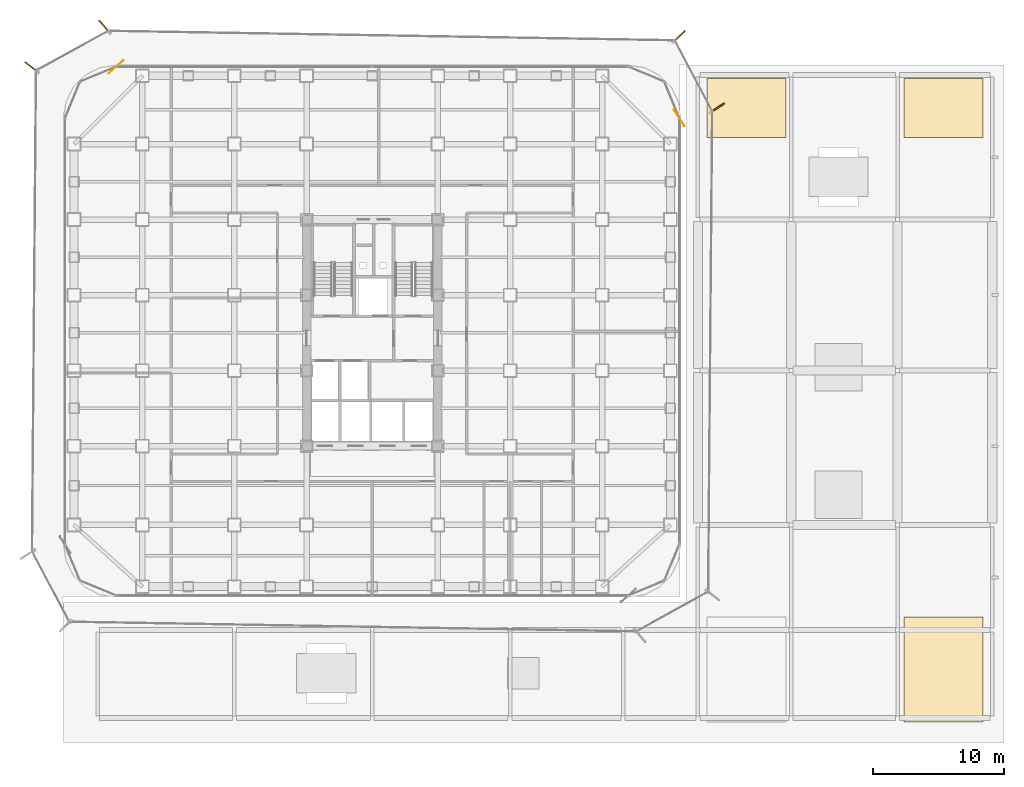
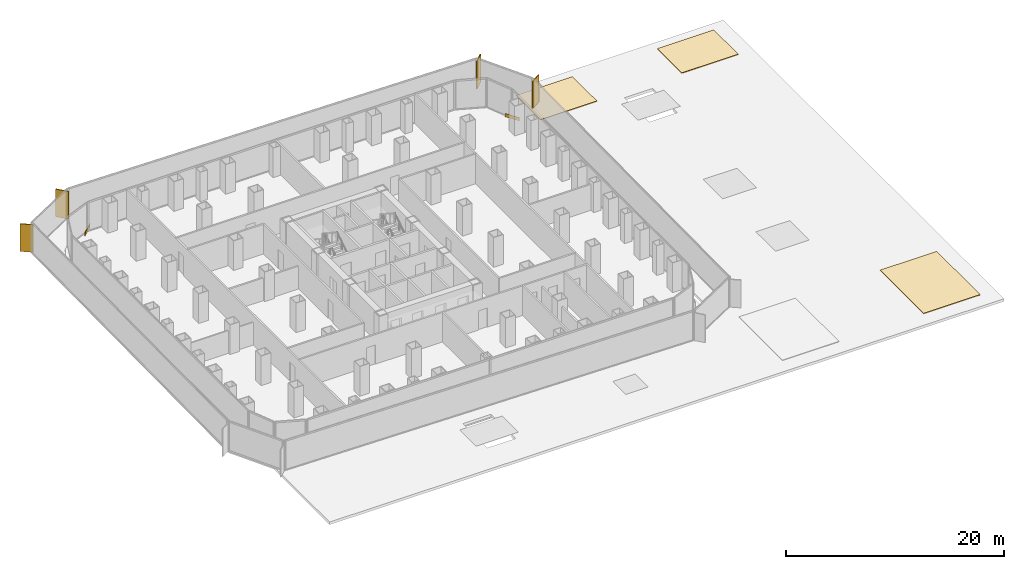
# One storey, part 27 of 27: 5 coverings, 4 shading devices.
"""IFC4 building model written with IfcOpenShell, lengths in metres."""

from ifc_helpers import new_model, si_unit, direction, frame, origin, origin_2d, place, context, subcontext, project, spatial, polyline, rectangle, outline, extrude, source, transform, mapped, material, layer, layer_set, type_object, element, save


model = new_model("IFC4")

# Units and contexts
model_context = context("Model", 3, precision=1e-05, world=origin(), true_north=direction((0.0, 1.0)))
body_context = subcontext(model_context, "Body", "Model", "MODEL_VIEW")
ifc_project = project(units=[si_unit("LENGTHUNIT", "METRE"), si_unit("AREAUNIT", "SQUARE_METRE"), si_unit("VOLUMEUNIT", "CUBIC_METRE"), si_unit("PLANEANGLEUNIT", "RADIAN"), si_unit("MASSUNIT", "GRAM", prefix="KILO")], contexts=[model_context])

# Site, building, storey
site_placement = place(None, origin())
site = spatial("IfcSite", under=ifc_project, at=site_placement, CompositionType="ELEMENT")
building_placement = place(site_placement, origin())
building = spatial("IfcBuilding", under=site, at=building_placement, Name="Kolveth Station Tower", CompositionType="ELEMENT")
storey_placement = place(building_placement, frame((0.0, 0.0, 22.5)))
storey = spatial("IfcBuildingStorey", under=building, at=storey_placement, Name="L05", CompositionType="ELEMENT", Elevation=22.5)

# Coverings
ifc_material_1 = material(Name="Insulated EPDM roofing membrane")
ifc_layer_1 = layer(ifc_material_1, 0.06005859375)
ifc_layer_set_1 = layer_set([ifc_layer_1], Name="Insulated EPDM roofing membrane")
covering_type_1 = type_object("IfcCoveringType", Name="Roof_RF1", PredefinedType="ROOFING", material=ifc_layer_set_1)
covering_1_placement = place(storey_placement, origin())
element("IfcCovering", 1, at=covering_1_placement, inside=storey, type_object=covering_type_1, Name="L05 Station Canopy Roofing Membrane 2", PredefinedType="ROOFING", context=body_context, shape_type="SweptSolid", body=[
    extrude(outline(polyline([(64.0, -9.5), (70.0, -9.5), (70.0, -1.5), (64.0, -1.5), (64.0, -9.5)])), origin(), (0.0, 0.0, 1.0), 0.06005859375),
])
covering_2_placement = place(storey_placement, origin())
element("IfcCovering", 2, at=covering_2_placement, inside=storey, type_object=covering_type_1, Name="L05 Station Canopy Roofing Membrane 3", PredefinedType="ROOFING", context=body_context, shape_type="SweptSolid", body=[
    extrude(outline(polyline([(49.0, 35.0), (55.0, 35.0), (55.0, 39.5), (49.0, 39.5), (49.0, 35.0)])), origin(), (0.0, 0.0, 1.0), 0.06005859375),
])
covering_3_placement = place(storey_placement, origin())
element("IfcCovering", 3, at=covering_3_placement, inside=storey, type_object=covering_type_1, Name="L05 Station Canopy Roofing Membrane 4", PredefinedType="ROOFING", context=body_context, shape_type="SweptSolid", body=[
    extrude(outline(polyline([(64.0, 35.0), (70.0, 35.0), (70.0, 39.5), (64.0, 39.5), (64.0, 35.0)])), origin(), (0.0, 0.0, 1.0), 0.06005859375),
])

# Shading devices
ifc_material_2 = material(Name="Black anodized aluminium 6063-T6", Category="aluminium")
shading_device_type = type_object("IfcShadingDeviceType", Name="FIN_VF1", PredefinedType="USERDEFINED", material=ifc_material_2)
shared_shape_1 = source(origin(), body_context, "Body", "SweptSolid", [
    extrude(rectangle(XDim=1.25, YDim=0.090087890625, at=origin_2d()), origin(), (0.0, 0.0, 1.0), 3.10009765625),
])
for number, where, z_axis, x_axis, name in (
    (4, (49.77197265625, 37.25390625, 0.0), (0.0, 0.0, 1.0), (0.839525049921, 0.543320982988, 0.0), "L05 Dark-Aluminium Solar Fin 3"),
    (5, (46.867919921875, 42.698974609375, 0.0), (0.0, 0.0, 1.0), (0.721155944485, 0.692772764861, 0.0), "L05 Dark-Aluminium Solar Fin 4"),
    (6, (3.10693359375, 43.445068359375, 0.0), (0.0, 0.0, 1.0), (-0.6602638684, 0.751033703695, 0.0), "L05 Dark-Aluminium Solar Fin 5"),
    (7, (-2.444091796875, 40.361083984375, 0.0), (0.0, 0.0, 1.0), (-0.790368909154, 0.612631200187, 0.0), "L05 Dark-Aluminium Solar Fin 6"),
):
    element("IfcShadingDevice", number, at=place(storey_placement, frame(where, z_axis=z_axis, x_axis=x_axis)), inside=storey, type_object=shading_device_type, Name=name, ObjectType="FIN", PredefinedType="USERDEFINED", context=body_context, shape_type="MappedRepresentation", body=[
        mapped(shared_shape_1, transform((0.0, 0.0, 0.0), x_axis=(1.0, 0.0, 0.0), y_axis=(0.0, 1.0, 0.0), z_axis=(0.0, 0.0, 1.0), scale=1.0)),
    ])

# Coverings
ifc_material_3 = material(Name="Charcoal anodized aluminium spandrel cladding", Category="aluminium")
ifc_layer_2 = layer(ifc_material_3, 0.044921875)
ifc_layer_set_2 = layer_set([ifc_layer_2], Name="Charcoal anodized aluminium spandrel cladding")
covering_type_2 = type_object("IfcCoveringType", Name="Clad_CD1", PredefinedType="CLADDING", material=ifc_layer_set_2)
shared_shape_2 = source(origin(), body_context, "Body", "SweptSolid", [
    extrude(rectangle(XDim=1.5, YDim=0.044921875, at=origin_2d()), origin(), (0.0, 0.0, 1.0), 0.360107421875),
])
for number, where, z_axis, x_axis, name in (
    (8, (46.8798828125, 36.5, 0.0), (0.0, 0.0, 1.0), (-0.543320982988, 0.839525049921, 0.0), "L05 Spandrel Edge Cladding 3"),
    (9, (4.0, 40.3798828125, 0.0), (0.0, 0.0, 1.0), (-0.751033703695, -0.6602638684, 0.0), "L05 Spandrel Edge Cladding 5"),
):
    element("IfcCovering", number, at=place(storey_placement, frame(where, z_axis=z_axis, x_axis=x_axis)), inside=storey, type_object=covering_type_2, Name=name, PredefinedType="CLADDING", context=body_context, shape_type="MappedRepresentation", body=[
        mapped(shared_shape_2, transform((0.0, 0.0, 0.0), x_axis=(1.0, 0.0, 0.0), y_axis=(0.0, 1.0, 0.0), z_axis=(0.0, 0.0, 1.0), scale=1.0)),
    ])

save(model, "model.ifc")
